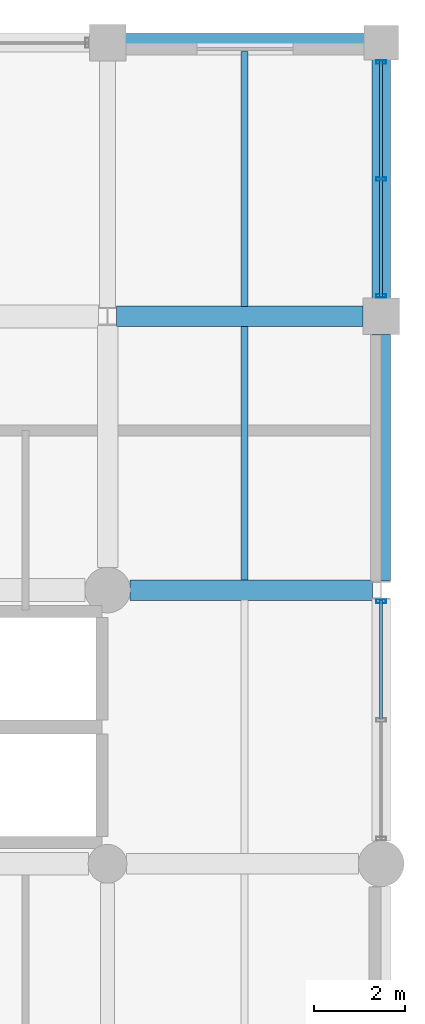
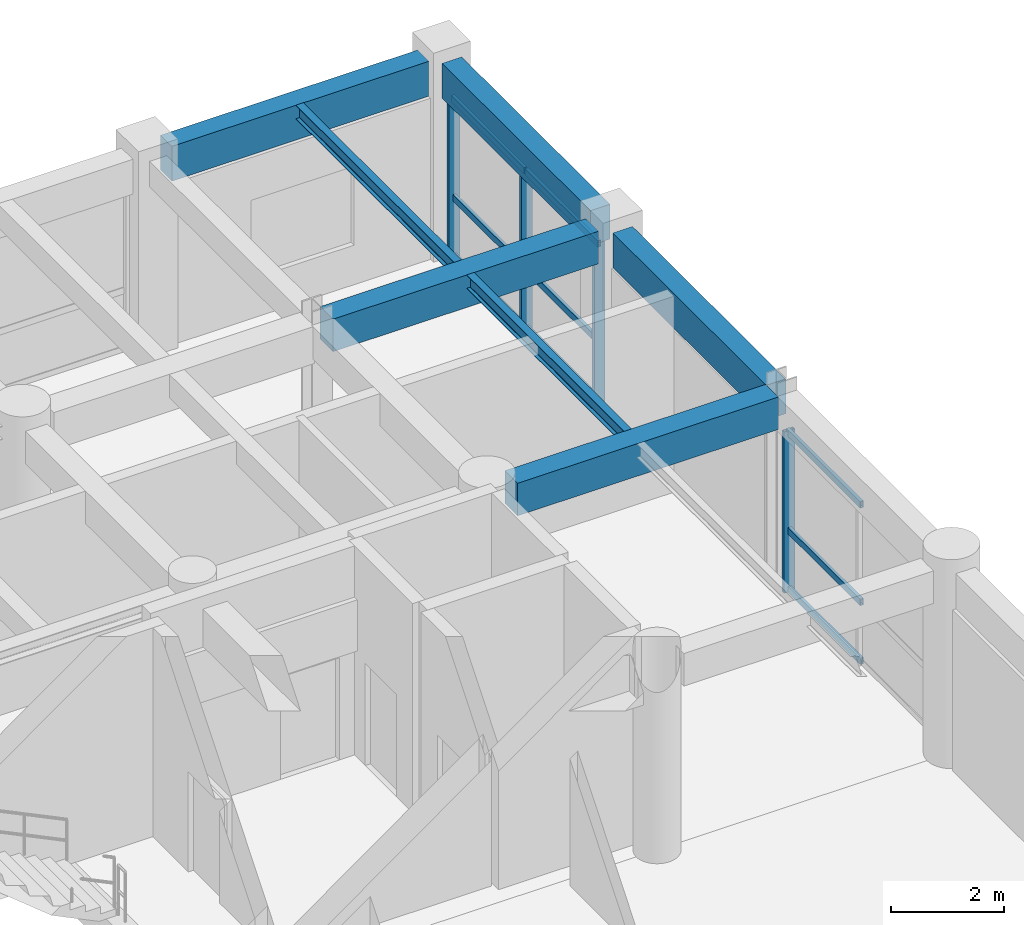
# One storey, part 87 of 133: 13 members, 7 beams, 2 elements without a shape of their own.
"""IFC4 building model written with IfcOpenShell, lengths in metres."""

from ifc_helpers import new_model, si_unit, direction, frame, origin, origin_2d, place, context, subcontext, project, spatial, rectangle, hollow_rectangle, i_section, extrude, material, material_profile, profile_set, type_object, element, aggregate, save


model = new_model("IFC4")

# Units and contexts
model_context = context("Model", 3, precision=1e-05, world=origin(), true_north=direction((0.0, 1.0)))
body_context = subcontext(model_context, "Body", "Model", "MODEL_VIEW")
ifc_project = project(units=[si_unit("LENGTHUNIT", "METRE"), si_unit("AREAUNIT", "SQUARE_METRE"), si_unit("VOLUMEUNIT", "CUBIC_METRE"), si_unit("PLANEANGLEUNIT", "RADIAN"), si_unit("MASSUNIT", "GRAM", prefix="KILO"), si_unit("THERMODYNAMICTEMPERATUREUNIT", "KELVIN"), si_unit("POWERUNIT", "WATT")], contexts=[model_context])

# Site, building, storey
site_placement = place(None, origin())
site = spatial("IfcSite", under=ifc_project, at=site_placement, CompositionType="ELEMENT")
building_placement = place(site_placement, origin())
building = spatial("IfcBuilding", under=site, at=building_placement, Name="Phaisarnlok Congress Hotel", CompositionType="ELEMENT")
storey_placement = place(building_placement, frame((0.0, 0.0, 6.0)))
storey = spatial("IfcBuildingStorey", under=building, at=storey_placement, Name="L01", CompositionType="ELEMENT", Elevation=6.0)

# Beams
ifc_material_1 = material(Name="Concrete C40/50", Category="concrete")
ifc_material_profile_1 = material_profile(ifc_material_1, rectangle(XDim=0.449951171875, YDim=0.699951171875, at=origin_2d()), Name="RC 450x700")
ifc_profile_set_1 = profile_set([ifc_material_profile_1], Name="Concrete C40/50")
beam_type_1 = type_object("IfcBeamType", Name="BM-RC-450x700", PredefinedType="BEAM", material=ifc_profile_set_1)
beam_1_placement = place(storey_placement, frame((174.4951171875, 114.0, 3.8701171875), z_axis=(1.0, 0.0, 0.0), x_axis=(0.0, 1.0, 0.0)))
element("IfcBeam", 1, at=beam_1_placement, inside=storey, type_object=beam_type_1, Name="Beam B-03", PredefinedType="BEAM", context=body_context, shape_type="SweptSolid", body=[
    extrude(rectangle(XDim=0.449951171875, YDim=0.699951171875, at=origin_2d()), origin(), (0.0, 0.0, 1.0), 5.309326171875),
])
beam_2_placement = place(storey_placement, frame((174.195556640625, 120.0, 3.8701171875), z_axis=(1.0, 0.0, 0.0), x_axis=(0.0, 1.0, 0.0)))
element("IfcBeam", 2, at=beam_2_placement, inside=storey, type_object=beam_type_1, Name="Beam B-03", PredefinedType="BEAM", context=body_context, shape_type="SweptSolid", body=[
    extrude(rectangle(XDim=0.449951171875, YDim=0.699951171875, at=origin_2d()), origin(), (0.0, 0.0, 1.0), 5.409423828125),
])

# Curtain wall, member
ifc_material_2 = material(Name="Thermally Broken Unitised Aluminium & Low-E Glazing", Category="aluminium")
curtain_wall_type_1 = type_object("IfcCurtainWallType", Name="CW-UNIT-13", PredefinedType="NOTDEFINED", material=ifc_material_2)
curtain_wall_1_placement = place(storey_placement, origin())
curtain_wall_1 = element("IfcCurtainWall", 3, at=curtain_wall_1_placement, inside=storey, type_object=curtain_wall_type_1, Name="Unitised curtain wall CW-13 (L01)", PredefinedType="NOTDEFINED")
ifc_material_3 = material(Name="Anodised Aluminium Alloy 6063-T6", Category="aluminium")
ifc_material_profile_2 = material_profile(ifc_material_3, hollow_rectangle(XDim=0.074951171875, YDim=0.219970703125, WallThickness=0.0048828125, at=origin_2d()), Name="ALU-M 75x220x5")
ifc_profile_set_2 = profile_set([ifc_material_profile_2], Name="Anodised Aluminium Alloy 6063-T6")
member_type_1 = type_object("IfcMemberType", Name="CWM-220", PredefinedType="MULLION", material=ifc_profile_set_2)
member_1_placement = place(storey_placement, frame((180.0, 113.75048828125, 0.0), z_axis=(0.0, 0.0, 1.0), x_axis=(0.0, 1.0, 0.0)))
member_1 = element("IfcMember", 4, at=member_1_placement, type_object=member_type_1, Name="Curtain wall mullion CWM-02", PredefinedType="MULLION", context=body_context, shape_type="SweptSolid", body=[
    extrude(hollow_rectangle(XDim=0.074951171875, YDim=0.219970703125, WallThickness=0.0048828125, at=origin_2d()), origin(), (0.0, 0.0, 1.0), 3.469970703125),
])

# Curtain wall, members
curtain_wall_type_2 = type_object("IfcCurtainWallType", Name="CW-UNIT-15", PredefinedType="NOTDEFINED", material=ifc_material_2)
curtain_wall_2_placement = place(storey_placement, origin())
curtain_wall_2 = element("IfcCurtainWall", 5, at=curtain_wall_2_placement, inside=storey, type_object=curtain_wall_type_2, Name="Unitised curtain wall CW-15 (L01)", PredefinedType="NOTDEFINED")
member_2_placement = place(storey_placement, frame((180.0, 120.449951171875, 0.0), z_axis=(0.0, 0.0, 1.0), x_axis=(0.0, 1.0, 0.0)))
member_2 = element("IfcMember", 6, at=member_2_placement, type_object=member_type_1, Name="Curtain wall mullion CWM-02", PredefinedType="MULLION", context=body_context, shape_type="SweptSolid", body=[
    extrude(hollow_rectangle(XDim=0.074951171875, YDim=0.219970703125, WallThickness=0.0048828125, at=origin_2d()), origin(), (0.0, 0.0, 1.0), 3.469970703125),
])
member_3_placement = place(storey_placement, frame((180.0, 123.012451171875, 0.0), z_axis=(0.0, 0.0, 1.0), x_axis=(0.0, 1.0, 0.0)))
member_3 = element("IfcMember", 7, at=member_3_placement, type_object=member_type_1, Name="Curtain wall mullion CWM-02", PredefinedType="MULLION", context=body_context, shape_type="SweptSolid", body=[
    extrude(hollow_rectangle(XDim=0.074951171875, YDim=0.219970703125, WallThickness=0.0048828125, at=origin_2d()), origin(), (0.0, 0.0, 1.0), 3.469970703125),
])
member_4_placement = place(storey_placement, frame((180.0, 125.574951171875, 0.0), z_axis=(0.0, 0.0, 1.0), x_axis=(0.0, 1.0, 0.0)))
member_4 = element("IfcMember", 8, at=member_4_placement, type_object=member_type_1, Name="Curtain wall mullion CWM-02", PredefinedType="MULLION", context=body_context, shape_type="SweptSolid", body=[
    extrude(hollow_rectangle(XDim=0.074951171875, YDim=0.219970703125, WallThickness=0.0048828125, at=origin_2d()), origin(), (0.0, 0.0, 1.0), 3.469970703125),
])

# Member
ifc_material_profile_3 = material_profile(ifc_material_3, hollow_rectangle(XDim=0.06494140625, YDim=0.139892578125, WallThickness=0.00390625, at=origin_2d()), Name="ALU-T 65x140x4")
ifc_profile_set_3 = profile_set([ifc_material_profile_3], Name="Anodised Aluminium Alloy 6063-T6")
member_type_2 = type_object("IfcMemberType", Name="CWT-150", PredefinedType="USERDEFINED", material=ifc_profile_set_3)
member_5_placement = place(storey_placement, frame((180.0, 111.165283203125, 0.050048828125), z_axis=(0.0, 1.0, 0.0), x_axis=(-1.0, 0.0, 0.0)))
member_5 = element("IfcMember", 9, at=member_5_placement, type_object=member_type_2, Name="Curtain wall transom CWT-01", ObjectType="TRANSOM", PredefinedType="USERDEFINED", context=body_context, shape_type="SweptSolid", body=[
    extrude(hollow_rectangle(XDim=0.06494140625, YDim=0.139892578125, WallThickness=0.00390625, at=origin_2d()), origin(), (0.0, 0.0, 1.0), 2.610107421875),
])

member_6_placement = place(storey_placement, frame((180.0, 111.165283203125, 1.318603515625), z_axis=(0.0, 1.0, 0.0), x_axis=(-1.0, 0.0, 0.0)))
member_6 = element("IfcMember", 10, at=member_6_placement, type_object=member_type_2, Name="Curtain wall transom CWT-01", ObjectType="TRANSOM", PredefinedType="USERDEFINED", context=body_context, shape_type="SweptSolid", body=[
    extrude(hollow_rectangle(XDim=0.06494140625, YDim=0.139892578125, WallThickness=0.00390625, at=origin_2d()), origin(), (0.0, 0.0, 1.0), 2.610107421875),
])

member_7_placement = place(storey_placement, frame((180.0, 111.165283203125, 3.419921875), z_axis=(0.0, 1.0, 0.0), x_axis=(-1.0, 0.0, 0.0)))
member_7 = element("IfcMember", 11, at=member_7_placement, type_object=member_type_2, Name="Curtain wall transom CWT-01", ObjectType="TRANSOM", PredefinedType="USERDEFINED", context=body_context, shape_type="SweptSolid", body=[
    extrude(hollow_rectangle(XDim=0.06494140625, YDim=0.139892578125, WallThickness=0.00390625, at=origin_2d()), origin(), (0.0, 0.0, 1.0), 2.610107421875),
])

aggregate(curtain_wall_1, [member_1, member_5, member_6, member_7])

member_8_placement = place(storey_placement, frame((180.0, 120.425048828125, 0.050048828125), z_axis=(0.0, 1.0, 0.0), x_axis=(-1.0, 0.0, 0.0)))
member_8 = element("IfcMember", 12, at=member_8_placement, type_object=member_type_2, Name="Curtain wall transom CWT-01", ObjectType="TRANSOM", PredefinedType="USERDEFINED", context=body_context, shape_type="SweptSolid", body=[
    extrude(hollow_rectangle(XDim=0.06494140625, YDim=0.139892578125, WallThickness=0.00390625, at=origin_2d()), origin(), (0.0, 0.0, 1.0), 2.572509765625),
])

member_9_placement = place(storey_placement, frame((180.0, 120.425048828125, 1.318603515625), z_axis=(0.0, 1.0, 0.0), x_axis=(-1.0, 0.0, 0.0)))
member_9 = element("IfcMember", 13, at=member_9_placement, type_object=member_type_2, Name="Curtain wall transom CWT-01", ObjectType="TRANSOM", PredefinedType="USERDEFINED", context=body_context, shape_type="SweptSolid", body=[
    extrude(hollow_rectangle(XDim=0.06494140625, YDim=0.139892578125, WallThickness=0.00390625, at=origin_2d()), origin(), (0.0, 0.0, 1.0), 2.572509765625),
])

member_10_placement = place(storey_placement, frame((180.0, 120.425048828125, 3.419921875), z_axis=(0.0, 1.0, 0.0), x_axis=(-1.0, 0.0, 0.0)))
member_10 = element("IfcMember", 14, at=member_10_placement, type_object=member_type_2, Name="Curtain wall transom CWT-01", ObjectType="TRANSOM", PredefinedType="USERDEFINED", context=body_context, shape_type="SweptSolid", body=[
    extrude(hollow_rectangle(XDim=0.06494140625, YDim=0.139892578125, WallThickness=0.00390625, at=origin_2d()), origin(), (0.0, 0.0, 1.0), 2.572509765625),
])

member_11_placement = place(storey_placement, frame((180.0, 123.027587890625, 0.050048828125), z_axis=(0.0, 1.0, 0.0), x_axis=(-1.0, 0.0, 0.0)))
member_11 = element("IfcMember", 15, at=member_11_placement, type_object=member_type_2, Name="Curtain wall transom CWT-01", ObjectType="TRANSOM", PredefinedType="USERDEFINED", context=body_context, shape_type="SweptSolid", body=[
    extrude(hollow_rectangle(XDim=0.06494140625, YDim=0.139892578125, WallThickness=0.00390625, at=origin_2d()), origin(), (0.0, 0.0, 1.0), 2.572509765625),
])

member_12_placement = place(storey_placement, frame((180.0, 123.027587890625, 1.318603515625), z_axis=(0.0, 1.0, 0.0), x_axis=(-1.0, 0.0, 0.0)))
member_12 = element("IfcMember", 16, at=member_12_placement, type_object=member_type_2, Name="Curtain wall transom CWT-01", ObjectType="TRANSOM", PredefinedType="USERDEFINED", context=body_context, shape_type="SweptSolid", body=[
    extrude(hollow_rectangle(XDim=0.06494140625, YDim=0.139892578125, WallThickness=0.00390625, at=origin_2d()), origin(), (0.0, 0.0, 1.0), 2.572509765625),
])

member_13_placement = place(storey_placement, frame((180.0, 123.027587890625, 3.419921875), z_axis=(0.0, 1.0, 0.0), x_axis=(-1.0, 0.0, 0.0)))
member_13 = element("IfcMember", 17, at=member_13_placement, type_object=member_type_2, Name="Curtain wall transom CWT-01", ObjectType="TRANSOM", PredefinedType="USERDEFINED", context=body_context, shape_type="SweptSolid", body=[
    extrude(hollow_rectangle(XDim=0.06494140625, YDim=0.139892578125, WallThickness=0.00390625, at=origin_2d()), origin(), (0.0, 0.0, 1.0), 2.572509765625),
])

aggregate(curtain_wall_2, [member_2, member_3, member_4, member_8, member_9, member_10, member_11, member_12, member_13])

# Beams
ifc_material_4 = material(Name="Steel S355", Category="steel")
ifc_material_profile_4 = material_profile(ifc_material_4, i_section(OverallWidth=0.14990234375, OverallDepth=0.300048828125, WebThickness=0.007080078125, FlangeThickness=0.0107421875, FilletRadius=0.014892578125, at=origin_2d()), Name="IPE 300")
ifc_profile_set_4 = profile_set([ifc_material_profile_4], Name="Steel S355")
beam_type_2 = type_object("IfcBeamType", Name="JS-STL-IPE300", PredefinedType="JOIST", material=ifc_profile_set_4)
beam_3_placement = place(storey_placement, frame((177.0, 114.219970703125, 4.070068359375), z_axis=(0.0, 1.0, 0.0), x_axis=(-1.0, 0.0, 0.0)))
element("IfcBeam", 18, at=beam_3_placement, inside=storey, type_object=beam_type_2, Name="Secondary floor joist J-03", PredefinedType="JOIST", context=body_context, shape_type="SweptSolid", body=[
    extrude(i_section(OverallWidth=0.14990234375, OverallDepth=0.300048828125, WebThickness=0.007080078125, FlangeThickness=0.0107421875, FilletRadius=0.014892578125, at=origin_2d()), origin(), (0.0, 0.0, 1.0), 5.56005859375),
])
beam_4_placement = place(storey_placement, frame((177.0, 120.219970703125, 4.070068359375), z_axis=(0.0, 1.0, 0.0), x_axis=(-1.0, 0.0, 0.0)))
element("IfcBeam", 19, at=beam_4_placement, inside=storey, type_object=beam_type_2, Name="Secondary floor joist J-03", PredefinedType="JOIST", context=body_context, shape_type="SweptSolid", body=[
    extrude(i_section(OverallWidth=0.14990234375, OverallDepth=0.300048828125, WebThickness=0.007080078125, FlangeThickness=0.0107421875, FilletRadius=0.014892578125, at=origin_2d()), origin(), (0.0, 0.0, 1.0), 5.5849609375),
])
ifc_material_profile_5 = material_profile(ifc_material_1, rectangle(XDim=0.39990234375, YDim=0.75, at=origin_2d()), Name="RC 400x750")
ifc_profile_set_5 = profile_set([ifc_material_profile_5], Name="Concrete C40/50")
beam_type_3 = type_object("IfcBeamType", Name="SP-RC-400x750", PredefinedType="SPANDREL", material=ifc_profile_set_5)
beam_5_placement = place(storey_placement, frame((174.39501953125, 126.0, 3.844970703125), z_axis=(1.0, 0.0, 0.0), x_axis=(0.0, 1.0, 0.0)))
element("IfcBeam", 20, at=beam_5_placement, inside=storey, type_object=beam_type_3, Name="Beam SP-02", PredefinedType="SPANDREL", context=body_context, shape_type="SweptSolid", body=[
    extrude(rectangle(XDim=0.39990234375, YDim=0.75, at=origin_2d()), origin(), (0.0, 0.0, 1.0), 5.23486328125),
])
beam_6_placement = place(storey_placement, frame((180.0, 114.194580078125, 3.844970703125), z_axis=(0.0, 1.0, 0.0), x_axis=(-1.0, 0.0, 0.0)))
element("IfcBeam", 21, at=beam_6_placement, inside=storey, type_object=beam_type_3, Name="Beam SP-02", PredefinedType="SPANDREL", context=body_context, shape_type="SweptSolid", body=[
    extrude(rectangle(XDim=0.39990234375, YDim=0.75, at=origin_2d()), origin(), (0.0, 0.0, 1.0), 5.410400390625),
])
beam_7_placement = place(storey_placement, frame((180.0, 120.39501953125, 3.844970703125), z_axis=(0.0, 1.0, 0.0), x_axis=(-1.0, 0.0, 0.0)))
element("IfcBeam", 22, at=beam_7_placement, inside=storey, type_object=beam_type_3, Name="Beam SP-02", PredefinedType="SPANDREL", context=body_context, shape_type="SweptSolid", body=[
    extrude(rectangle(XDim=0.39990234375, YDim=0.75, at=origin_2d()), origin(), (0.0, 0.0, 1.0), 5.23486328125),
])

save(model, "model.ifc")
